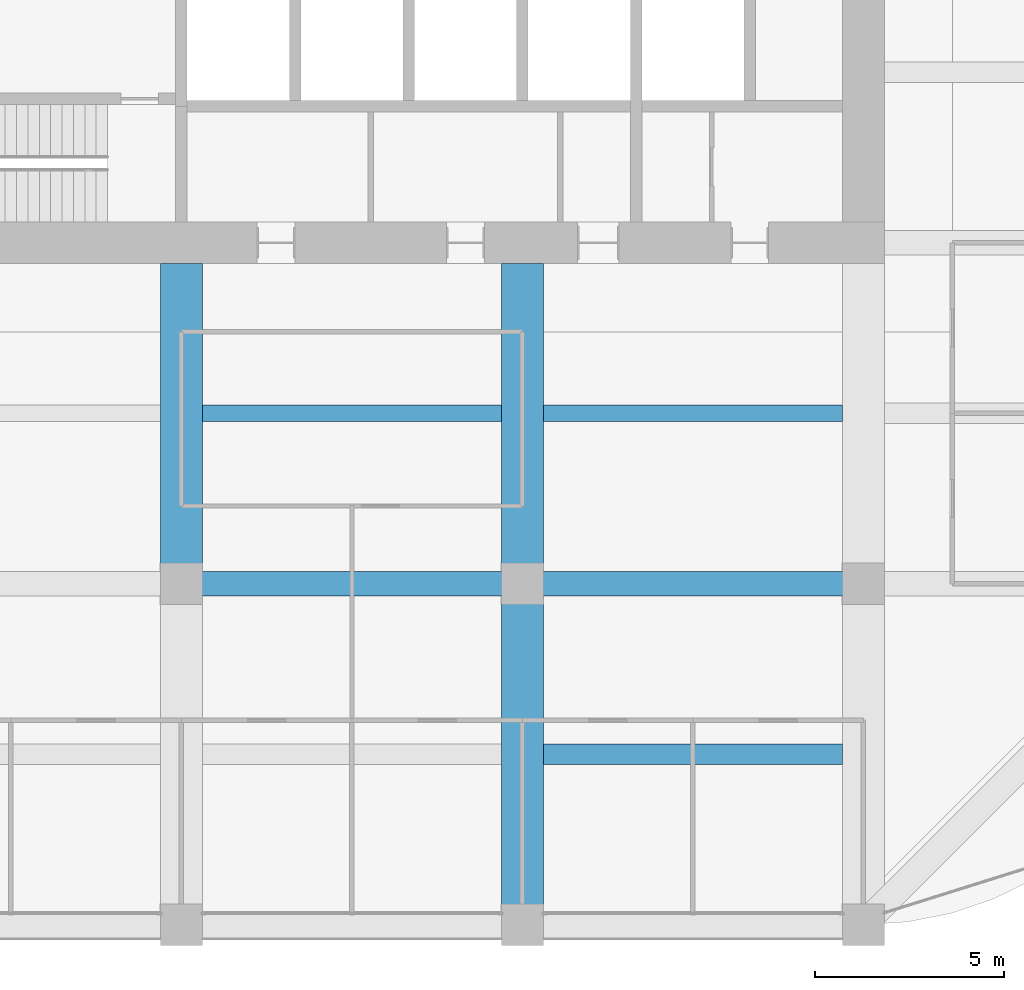
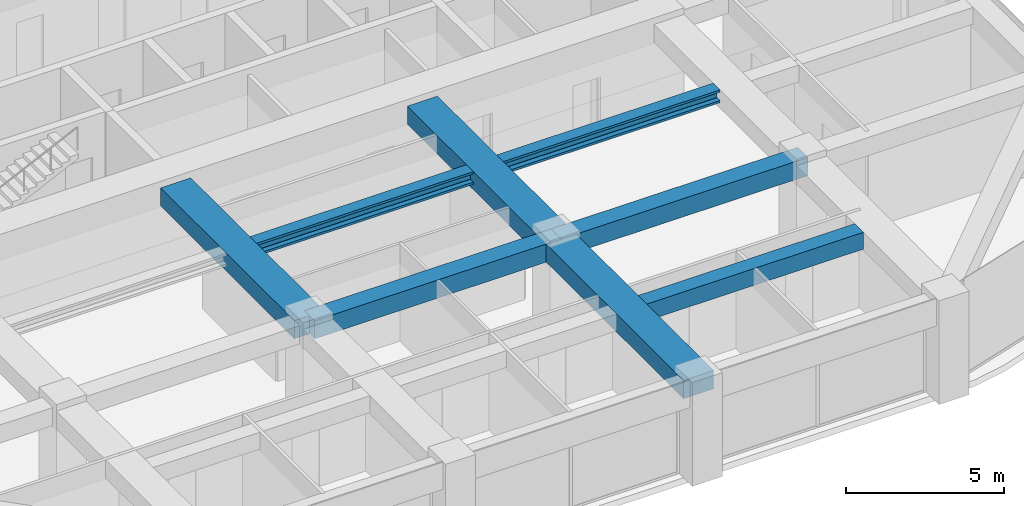
# One storey, part 12 of 44: 8 beams.
"""IFC4 building model written with IfcOpenShell, lengths in metres."""

import ifcopenshell
import ifcopenshell.guid

model = None  # the IFC model being written
_history = None  # IfcOwnerHistory: only IFC2X3 demands one
_inside = {}  # id of a spatial element -> (the spatial element, [elements in it])
_under = {}  # id of a project, library or spatial element -> (it, [spatial elements below it])
_declared = {}  # id of a project -> (the project, [libraries it declares])
_typed = {}  # id of a type object -> (the type object, [elements of that type])
_made_of = {}  # id of a material, layer set ... -> (it, [elements and type objects made of it])


def new_model(schema):
    """Start an empty IFC model of exactly this schema.

    Asked for "IFC4X3", IfcOpenShell would pick the latest addendum, in which some entities
    have other attributes; the version numbers below select the first issue.
    IFC2X3 requires an IfcOwnerHistory on every rooted entity: one is made here for all.
    """
    global model, _history
    if schema == "IFC4X3":
        model = ifcopenshell.file(schema_version=(4, 3, 0, 0))
    else:
        model = ifcopenshell.file(schema=schema)
    _inside.clear()
    _under.clear()
    _declared.clear()
    _typed.clear()
    _made_of.clear()
    _history = None
    if model.schema == "IFC2X3":
        org = make("IfcOrganization", Name="unknown")
        user = make(
            "IfcPersonAndOrganization",
            ThePerson=make("IfcPerson", FamilyName="unknown"),
            TheOrganization=org,
        )
        app = make(
            "IfcApplication",
            ApplicationDeveloper=org,
            Version="unknown",
            ApplicationFullName="unknown",
            ApplicationIdentifier="unknown",
        )
        _history = make(
            "IfcOwnerHistory",
            OwningUser=user,
            OwningApplication=app,
            ChangeAction="ADDED",
            CreationDate=0,
        )
    return model


def make(cls, **values):
    """One entity of the class cls with the attributes given. An attribute that is None is left unset."""
    return model.create_entity(
        cls, **{name: value for name, value in values.items() if value is not None}
    )


def rooted(cls, **values):
    """An entity with a GlobalId (a new one), such as an element, a storey or a relation."""
    return make(cls, GlobalId=ifcopenshell.guid.new(), OwnerHistory=_history, **values)


def si_unit(unit_type, name, prefix=None):
    """IfcSIUnit, for example si_unit("LENGTHUNIT", "METRE", prefix="MILLI")."""
    return make("IfcSIUnit", UnitType=unit_type, Prefix=prefix, Name=name)


def assignment(units):
    """IfcUnitAssignment: the units of a project."""
    return None if units is None else make("IfcUnitAssignment", Units=units)


def point(xyz):
    """IfcCartesianPoint."""
    return None if xyz is None else make("IfcCartesianPoint", Coordinates=xyz)


def direction(xyz):
    """IfcDirection."""
    return None if xyz is None else make("IfcDirection", DirectionRatios=xyz)


def frame(location, z_axis=None, x_axis=None):
    """IfcAxis2Placement3D, a coordinate frame: its origin and axes. An axis left out is left unset."""
    return make(
        "IfcAxis2Placement3D",
        Location=point(location),
        Axis=direction(z_axis),
        RefDirection=direction(x_axis),
    )


def frame_2d(location, x_axis=None):
    """IfcAxis2Placement2D, a coordinate frame in the plane: its origin and x axis."""
    return make(
        "IfcAxis2Placement2D", Location=point(location), RefDirection=direction(x_axis)
    )


def origin():
    """The frame at (0, 0, 0) with its axes left unset."""
    return frame((0.0, 0.0, 0.0))


def origin_2d():
    """The frame at (0, 0) in the plane with its x axis left unset."""
    return frame_2d((0.0, 0.0))


def place(relative_to, where):
    """IfcLocalPlacement: puts the frame where relative to a parent placement (None: the world)."""
    return make(
        "IfcLocalPlacement", PlacementRelTo=relative_to, RelativePlacement=where
    )


def context(
    kind, dimensions, precision=None, world=None, true_north=None, identifier=None
):
    """IfcGeometricRepresentationContext, for example the 3D "Model" context."""
    return make(
        "IfcGeometricRepresentationContext",
        ContextIdentifier=identifier,
        ContextType=kind,
        CoordinateSpaceDimension=dimensions,
        Precision=precision,
        WorldCoordinateSystem=world,
        TrueNorth=true_north,
    )


def subcontext(parent, identifier, kind, view, scale=None):
    """IfcGeometricRepresentationSubContext, for example "Body" below "Model"."""
    return make(
        "IfcGeometricRepresentationSubContext",
        ContextIdentifier=identifier,
        ContextType=kind,
        ParentContext=parent,
        TargetScale=scale,
        TargetView=view,
    )


def project(units=None, contexts=None):
    """IfcProject with its units and contexts."""
    return rooted(
        "IfcProject",
        Name="project",
        RepresentationContexts=contexts,
        UnitsInContext=assignment(units),
    )


def spatial(cls, under=None, at=None, **own):
    """A site, building, storey or space (cls), placed at a placement, below another one or the project."""
    s = rooted(cls, ObjectPlacement=at, **own)
    if under is not None:
        _under.setdefault(under.id(), (under, []))[1].append(s)
    return s


def profile(cls, at=None, kind="AREA", **sizes):
    """A parametric profile (cls). Its sizes go by their IFC names, for example OverallWidth=200.0."""
    return make(cls, ProfileType=kind, Position=at, **sizes)


def rectangle(**sizes):
    """IfcRectangleProfileDef."""
    return profile("IfcRectangleProfileDef", **sizes)


def i_section(**sizes):
    """IfcIShapeProfileDef."""
    return profile("IfcIShapeProfileDef", **sizes)


def extrude(swept, where, along, depth):
    """IfcExtrudedAreaSolid: the profile swept, set in the frame where, extruded along a direction by depth."""
    return make(
        "IfcExtrudedAreaSolid",
        SweptArea=swept,
        Position=where,
        ExtrudedDirection=direction(along),
        Depth=depth,
    )


def shape(context_of_items, identifier, shape_type, items):
    """IfcShapeRepresentation: the items that make up one representation, for example the "Body"."""
    return make(
        "IfcShapeRepresentation",
        ContextOfItems=context_of_items,
        RepresentationIdentifier=identifier,
        RepresentationType=shape_type,
        Items=items,
    )


def material(Name=None, Category=None):
    """IfcMaterial."""
    return make("IfcMaterial", Name=Name, Category=Category)


def material_profile(
    of_material, cross_section, Name=None, Category=None, Priority=None
):
    """IfcMaterialProfile: a cross section and its material."""
    return make(
        "IfcMaterialProfile",
        Name=Name,
        Material=of_material,
        Profile=cross_section,
        Priority=Priority,
        Category=Category,
    )


def profile_set(profiles, Name=None, composite=None):
    """IfcMaterialProfileSet."""
    return make(
        "IfcMaterialProfileSet",
        Name=Name,
        MaterialProfiles=profiles,
        CompositeProfile=composite,
    )


def made_of(thing, what):
    """Note that an element or type object is made of a material, layer set ...; save() writes the relation."""
    if what is not None:
        _made_of.setdefault(what.id(), (what, []))[1].append(thing)
    return thing


def type_object(cls, material=None, **own):
    """A type object (cls), such as IfcWallType, which elements share."""
    return made_of(rooted(cls, **own), material)


def element(
    cls,
    number,
    at=None,
    inside=None,
    cuts=None,
    type_object=None,
    material=None,
    context=None,
    identifier="Body",
    shape_type=None,
    held_by="IfcProductDefinitionShape",
    body=None,
    shapes=None,
    **own,
):
    """One element of the class cls, such as IfcWall. Its Tag is "e" and its number.

    at: its placement. inside: the storey or other place that contains it. cuts: it is an
    opening in that element (IfcRelVoidsElement). A single representation is given by context,
    identifier, shape_type and body (its items); several are given by shapes. held_by: the class
    of the entity that holds the representations. save() writes the other relations.
    """
    e = rooted(cls, Tag="e%d" % number, ObjectPlacement=at, **own)
    if body is not None:
        shapes = [shape(context, identifier, shape_type, body)]
    if shapes is not None:
        e.Representation = make(held_by, Representations=shapes)
    if inside is not None:
        _inside.setdefault(inside.id(), (inside, []))[1].append(e)
    if cuts is not None:
        rooted(
            "IfcRelVoidsElement", RelatingBuildingElement=cuts, RelatedOpeningElement=e
        )
    if type_object is not None:
        _typed.setdefault(type_object.id(), (type_object, []))[1].append(e)
    return made_of(e, material)


def aggregate(whole, parts):
    """IfcRelAggregates: a whole, such as a stair, and the parts it consists of."""
    return rooted("IfcRelAggregates", RelatingObject=whole, RelatedObjects=parts)


def save(model, path):
    """Write the relations noted so far, then the file.

    IfcRelAggregates (storeys below a building ...), IfcRelContainedInSpatialStructure (elements
    in a storey), IfcRelDefinesByType, IfcRelAssociatesMaterial and IfcRelDeclares: one each for
    every whole, place, type object, material and project.
    """
    for whole, parts in _under.values():
        aggregate(whole, parts)
    for where, things in _inside.values():
        rooted(
            "IfcRelContainedInSpatialStructure",
            RelatedElements=things,
            RelatingStructure=where,
        )
    for kind, things in _typed.values():
        rooted("IfcRelDefinesByType", RelatedObjects=things, RelatingType=kind)
    for what, things in _made_of.values():
        rooted("IfcRelAssociatesMaterial", RelatedObjects=things, RelatingMaterial=what)
    for by, libraries in _declared.values():
        rooted("IfcRelDeclares", RelatingContext=by, RelatedDefinitions=libraries)
    model.write(path)


model = new_model("IFC4")

# Units and contexts
model_context = context("Model", 3, precision=1e-05, world=origin(), true_north=direction((0.0, 1.0)))
body_context = subcontext(model_context, "Body", "Model", "MODEL_VIEW")
ifc_project = project(units=[si_unit("LENGTHUNIT", "METRE"), si_unit("AREAUNIT", "SQUARE_METRE"), si_unit("VOLUMEUNIT", "CUBIC_METRE"), si_unit("PLANEANGLEUNIT", "RADIAN"), si_unit("MASSUNIT", "GRAM", prefix="KILO")], contexts=[model_context])

# Site, building, storey
site_placement = place(None, origin())
site = spatial("IfcSite", under=ifc_project, at=site_placement, CompositionType="ELEMENT")
building_placement = place(site_placement, origin())
building = spatial("IfcBuilding", under=site, at=building_placement, Name="Zorevar Civic Tower", CompositionType="ELEMENT")
storey_placement = place(building_placement, frame((0.0, 0.0, 295.39990234375)))
storey = spatial("IfcBuildingStorey", under=building, at=storey_placement, Name="L72", CompositionType="ELEMENT", Elevation=295.39990234375)

# Beams
ifc_material_1 = material(Name="Concrete C50/60", Category="concrete")
ifc_material_profile_1 = material_profile(ifc_material_1, rectangle(XDim=1.10009765625, YDim=0.699951171875, at=origin_2d()), Name="RC 1100x700")
ifc_profile_set_1 = profile_set([ifc_material_profile_1], Name="Concrete C50/60")
beam_type_1 = type_object("IfcBeamType", Name="Beam RC 1100x700", PredefinedType="BEAM", material=ifc_profile_set_1)
beam_1_placement = place(storey_placement, frame((27.0, 9.0, 3.400146484375), z_axis=(0.0, 1.0, 0.0), x_axis=(-1.0, 0.0, 0.0)))
element("IfcBeam", 1, at=beam_1_placement, inside=storey, type_object=beam_type_1, Name="Girder L73", PredefinedType="BEAM", context=body_context, shape_type="SweptSolid", body=[
    extrude(rectangle(XDim=1.10009765625, YDim=0.699951171875, at=origin_2d()), origin(), (0.0, 0.0, 1.0), 8.449951171875),
])
beam_2_placement = place(storey_placement, frame((36.0, 0.0, 3.400146484375), z_axis=(0.0, 1.0, 0.0), x_axis=(-1.0, 0.0, 0.0)))
element("IfcBeam", 2, at=beam_2_placement, inside=storey, type_object=beam_type_1, Name="Girder L73", PredefinedType="BEAM", context=body_context, shape_type="SweptSolid", body=[
    extrude(rectangle(XDim=1.10009765625, YDim=0.699951171875, at=origin_2d()), origin(), (0.0, 0.0, 1.0), 9.0),
])
beam_3_placement = place(storey_placement, frame((36.0, 9.0, 3.400146484375), z_axis=(0.0, 1.0, 0.0), x_axis=(-1.0, 0.0, 0.0)))
element("IfcBeam", 3, at=beam_3_placement, inside=storey, type_object=beam_type_1, Name="Girder L73", PredefinedType="BEAM", context=body_context, shape_type="SweptSolid", body=[
    extrude(rectangle(XDim=1.10009765625, YDim=0.699951171875, at=origin_2d()), origin(), (0.0, 0.0, 1.0), 8.449951171875),
])
ifc_material_2 = material(Name="Concrete C50/60", Category="concrete")
ifc_material_profile_2 = material_profile(ifc_material_2, rectangle(XDim=0.550048828125, YDim=0.64990234375, at=origin_2d()), Name="RC 550x650")
ifc_profile_set_2 = profile_set([ifc_material_profile_2], Name="Concrete C50/60")
beam_type_2 = type_object("IfcBeamType", Name="Beam RC 550x650", PredefinedType="BEAM", material=ifc_profile_set_2)
beam_4_placement = place(storey_placement, frame((36.550048828125, 4.5, 3.425048828125), z_axis=(1.0, 0.0, 0.0), x_axis=(0.0, 1.0, 0.0)))
element("IfcBeam", 4, at=beam_4_placement, inside=storey, type_object=beam_type_2, Name="Secondary beam L73", PredefinedType="BEAM", context=body_context, shape_type="SweptSolid", body=[
    extrude(rectangle(XDim=0.550048828125, YDim=0.64990234375, at=origin_2d()), origin(), (0.0, 0.0, 1.0), 7.89990234375),
])
ifc_material_3 = material(Name="Concrete C50/60", Category="concrete")
ifc_material_profile_3 = material_profile(ifc_material_3, rectangle(XDim=0.64990234375, YDim=0.699951171875, at=origin_2d()), Name="RC 650x700")
ifc_profile_set_3 = profile_set([ifc_material_profile_3], Name="Concrete C50/60")
beam_type_3 = type_object("IfcBeamType", Name="Beam RC 650x700", PredefinedType="BEAM", material=ifc_profile_set_3)
for number, where, z_axis, x_axis, name in (
    (5, (27.0, 9.0, 3.400146484375), (1.0, 0.0, 0.0), (0.0, 1.0, 0.0), "Girder L73"),
    (6, (36.0, 9.0, 3.400146484375), (1.0, 0.0, 0.0), (0.0, 1.0, 0.0), "Girder L73"),
):
    element("IfcBeam", number, at=place(storey_placement, frame(where, z_axis=z_axis, x_axis=x_axis)), inside=storey, type_object=beam_type_3, Name=name, PredefinedType="BEAM", context=body_context, shape_type="SweptSolid", body=[
        extrude(rectangle(XDim=0.64990234375, YDim=0.699951171875, at=origin_2d()), origin(), (0.0, 0.0, 1.0), 9.0),
    ])
ifc_material_4 = material(Name="Steel S460M (HISTAR 460)", Category="steel")
ifc_material_profile_4 = material_profile(ifc_material_4, i_section(OverallWidth=0.431884765625, OverallDepth=0.498046875, WebThickness=0.0556640625, FlangeThickness=0.0888671875, FilletRadius=0.014892578125, at=origin_2d()), Name="HD 400x744")
ifc_profile_set_4 = profile_set([ifc_material_profile_4], Name="Steel S460M (HISTAR 460)")
beam_type_4 = type_object("IfcBeamType", Name="Core bay beam HD 400x744", PredefinedType="BEAM", material=ifc_profile_set_4)
for number, where, z_axis, x_axis, name in (
    (7, (27.550048828125, 13.5, 3.5009765625), (1.0, 0.0, 0.0), (0.0, 1.0, 0.0), "Secondary beam L73"),
    (8, (36.550048828125, 13.5, 3.5009765625), (1.0, 0.0, 0.0), (0.0, 1.0, 0.0), "Secondary beam L73"),
):
    element("IfcBeam", number, at=place(storey_placement, frame(where, z_axis=z_axis, x_axis=x_axis)), inside=storey, type_object=beam_type_4, Name=name, PredefinedType="BEAM", context=body_context, shape_type="SweptSolid", body=[
        extrude(i_section(OverallWidth=0.431884765625, OverallDepth=0.498046875, WebThickness=0.0556640625, FlangeThickness=0.0888671875, FilletRadius=0.014892578125, at=origin_2d()), origin(), (0.0, 0.0, 1.0), 7.89990234375),
    ])

save(model, "model.ifc")
